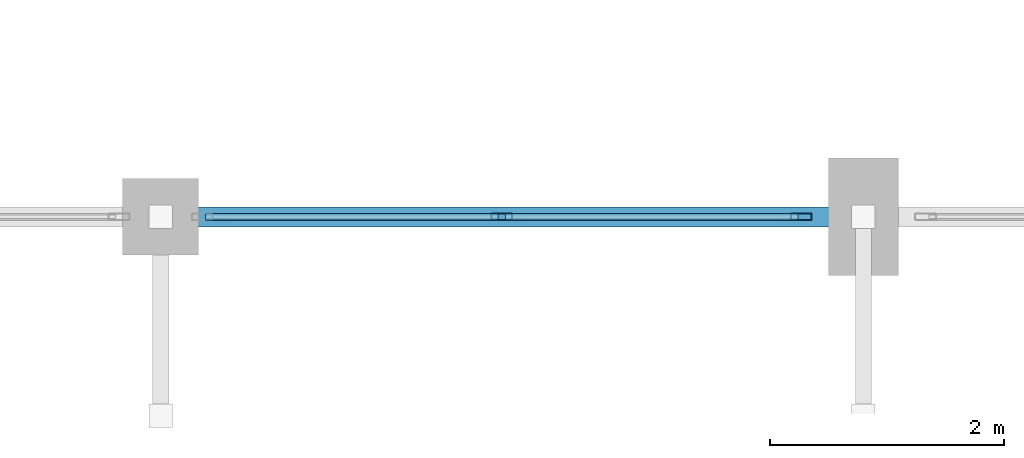
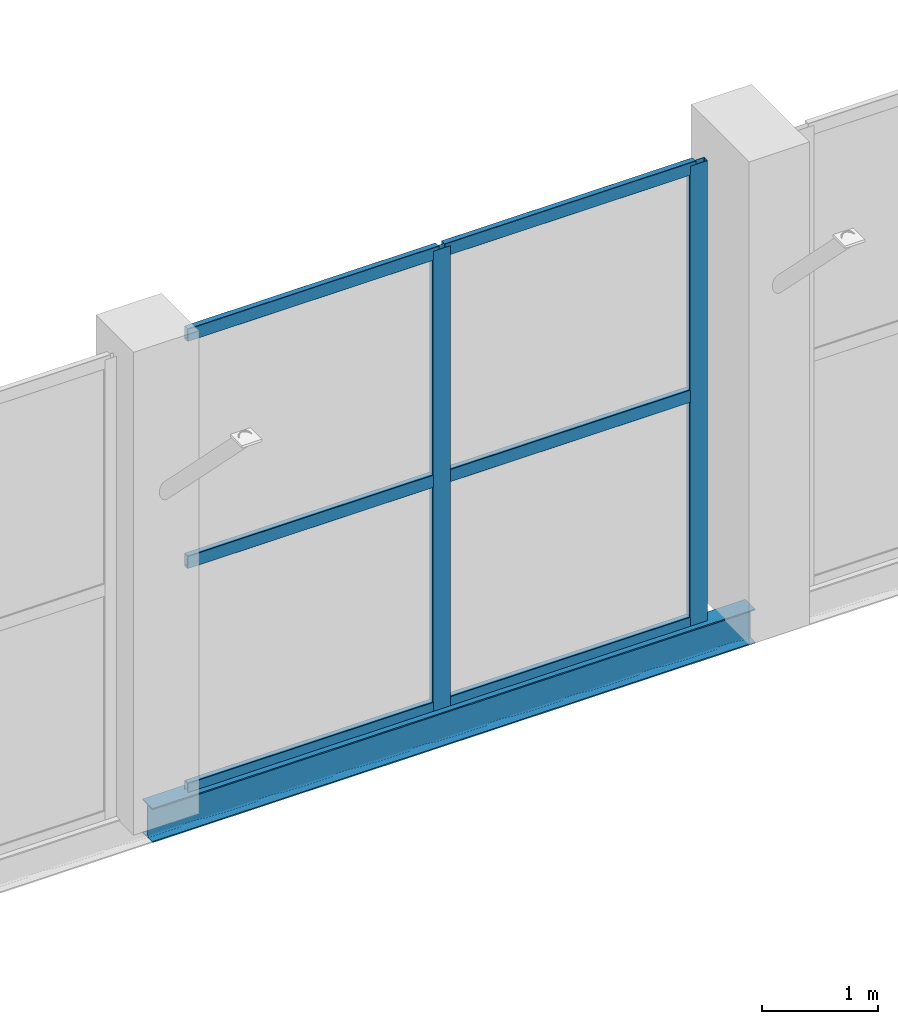
# One storey, part 20 of 127: 8 members, 1 beam, 1 element without a shape of its own.
"""IFC4 building model written with IfcOpenShell, lengths in metres."""

from ifc_helpers import new_model, si_unit, direction, frame, origin, origin_2d, place, context, subcontext, project, spatial, hollow_rectangle, i_section, extrude, material, layer, layer_set, material_profile, profile_set, type_object, element, aggregate, save


model = new_model("IFC4")

# Units and contexts
model_context = context("Model", 3, precision=1e-05, world=origin(), true_north=direction((0.0, 1.0)))
body_context = subcontext(model_context, "Body", "Model", "MODEL_VIEW")
ifc_project = project(units=[si_unit("LENGTHUNIT", "METRE"), si_unit("AREAUNIT", "SQUARE_METRE"), si_unit("VOLUMEUNIT", "CUBIC_METRE"), si_unit("PLANEANGLEUNIT", "RADIAN"), si_unit("MASSUNIT", "GRAM", prefix="KILO")], contexts=[model_context])

# Site, building, storey
site_placement = place(None, origin())
site = spatial("IfcSite", under=ifc_project, at=site_placement, CompositionType="ELEMENT")
building_placement = place(site_placement, origin())
building = spatial("IfcBuilding", under=site, at=building_placement, Name="Dunvalen Ferry Terminal", CompositionType="ELEMENT")
storey_placement = place(building_placement, frame((0.0, 0.0, 5.760009765625)))
storey = spatial("IfcBuildingStorey", under=building, at=storey_placement, Name="L01", CompositionType="ELEMENT", Elevation=5.760009765625)

# Curtain wall, members
ifc_material_1 = material(Name="Anodised marine aluminium and solar-control glazing", Category="aluminium")
ifc_layer = layer(ifc_material_1, 0.219970703125, Name="Anodised marine aluminium and solar-control glazing")
ifc_layer_set = layer_set([ifc_layer], Name="Anodised marine aluminium and solar-control glazing")
curtain_wall_type = type_object("IfcCurtainWallType", Name="ENV-CW-SYS-02", PredefinedType="NOTDEFINED", material=ifc_layer_set)
curtain_wall_placement = place(storey_placement, origin())
curtain_wall = element("IfcCurtainWall", 1, at=curtain_wall_placement, inside=storey, type_object=curtain_wall_type, Name="L01 Curtain Wall CW-V1S-L01-02", PredefinedType="NOTDEFINED")
ifc_material_2 = material(Name="Anodised marine aluminium EN AW-6063 T6", Category="aluminium")
ifc_material_profile_1 = material_profile(ifc_material_2, hollow_rectangle(XDim=0.06005859375, YDim=0.179931640625, WallThickness=0.00341796875, InnerFilletRadius=0.00341796875, OuterFilletRadius=0.007080078125, at=origin_2d()), Name="Anodised marine aluminium EN AW-6063 T6")
ifc_profile_set_1 = profile_set([ifc_material_profile_1], Name="Anodised marine aluminium EN AW-6063 T6")
member_type_1 = type_object("IfcMemberType", Name="ENV-CW-MUL-2", PredefinedType="MULLION", material=ifc_profile_set_1)
member_1_placement = place(storey_placement, frame((44.91259765625, 50.39990234375, 0.02001953125), z_axis=(0.0, 0.0, 1.0), x_axis=(0.0, 1.0, 0.0)))
member_1 = element("IfcMember", 2, at=member_1_placement, type_object=member_type_1, Name="CW-02 mullion 2", PredefinedType="MULLION", context=body_context, shape_type="SweptSolid", body=[
    extrude(hollow_rectangle(XDim=0.06005859375, YDim=0.179931640625, WallThickness=0.00341796875, InnerFilletRadius=0.00341796875, OuterFilletRadius=0.007080078125, at=origin_2d()), origin(), (0.0, 0.0, 1.0), 4.840087890625),
])
member_2_placement = place(storey_placement, frame((47.469970703125, 50.39990234375, 0.02001953125), z_axis=(0.0, 0.0, 1.0), x_axis=(0.0, 1.0, 0.0)))
member_2 = element("IfcMember", 3, at=member_2_placement, type_object=member_type_1, Name="CW-02 mullion 3", PredefinedType="MULLION", context=body_context, shape_type="SweptSolid", body=[
    extrude(hollow_rectangle(XDim=0.06005859375, YDim=0.179931640625, WallThickness=0.00341796875, InnerFilletRadius=0.00341796875, OuterFilletRadius=0.007080078125, at=origin_2d()), origin(), (0.0, 0.0, 1.0), 4.840087890625),
])
ifc_material_profile_2 = material_profile(ifc_material_2, hollow_rectangle(XDim=0.06005859375, YDim=0.135009765625, WallThickness=0.003173828125, InnerFilletRadius=0.003173828125, OuterFilletRadius=0.00634765625, at=origin_2d()), Name="Anodised marine aluminium EN AW-6063 T6")
ifc_profile_set_2 = profile_set([ifc_material_profile_2], Name="Anodised marine aluminium EN AW-6063 T6")
member_type_2 = type_object("IfcMemberType", Name="ENV-CW-TRN-2", PredefinedType="USERDEFINED", material=ifc_profile_set_2)
member_3_placement = place(storey_placement, frame((42.385009765625, 50.39990234375, 0.050048828125), z_axis=(1.0, 0.0, 0.0), x_axis=(0.0, 1.0, 0.0)))
member_3 = element("IfcMember", 4, at=member_3_placement, type_object=member_type_2, Name="CW-02 transom 1.1", ObjectType="TRANSOM", PredefinedType="USERDEFINED", context=body_context, shape_type="SweptSolid", body=[
    extrude(hollow_rectangle(XDim=0.06005859375, YDim=0.135009765625, WallThickness=0.003173828125, InnerFilletRadius=0.003173828125, OuterFilletRadius=0.00634765625, at=origin_2d()), origin(), (0.0, 0.0, 1.0), 2.49755859375),
])
member_4_placement = place(storey_placement, frame((42.385009765625, 50.39990234375, 2.43994140625), z_axis=(1.0, 0.0, 0.0), x_axis=(0.0, 1.0, 0.0)))
member_4 = element("IfcMember", 5, at=member_4_placement, type_object=member_type_2, Name="CW-02 transom 1.2", ObjectType="TRANSOM", PredefinedType="USERDEFINED", context=body_context, shape_type="SweptSolid", body=[
    extrude(hollow_rectangle(XDim=0.06005859375, YDim=0.135009765625, WallThickness=0.003173828125, InnerFilletRadius=0.003173828125, OuterFilletRadius=0.00634765625, at=origin_2d()), origin(), (0.0, 0.0, 1.0), 2.49755859375),
])
member_5_placement = place(storey_placement, frame((42.385009765625, 50.39990234375, 4.830078125), z_axis=(1.0, 0.0, 0.0), x_axis=(0.0, 1.0, 0.0)))
member_5 = element("IfcMember", 6, at=member_5_placement, type_object=member_type_2, Name="CW-02 transom 1.3", ObjectType="TRANSOM", PredefinedType="USERDEFINED", context=body_context, shape_type="SweptSolid", body=[
    extrude(hollow_rectangle(XDim=0.06005859375, YDim=0.135009765625, WallThickness=0.003173828125, InnerFilletRadius=0.003173828125, OuterFilletRadius=0.00634765625, at=origin_2d()), origin(), (0.0, 0.0, 1.0), 2.49755859375),
])
member_6_placement = place(storey_placement, frame((44.9423828125, 50.39990234375, 0.050048828125), z_axis=(1.0, 0.0, 0.0), x_axis=(0.0, 1.0, 0.0)))
member_6 = element("IfcMember", 7, at=member_6_placement, type_object=member_type_2, Name="CW-02 transom 2.1", ObjectType="TRANSOM", PredefinedType="USERDEFINED", context=body_context, shape_type="SweptSolid", body=[
    extrude(hollow_rectangle(XDim=0.06005859375, YDim=0.135009765625, WallThickness=0.003173828125, InnerFilletRadius=0.003173828125, OuterFilletRadius=0.00634765625, at=origin_2d()), origin(), (0.0, 0.0, 1.0), 2.49755859375),
])
member_7_placement = place(storey_placement, frame((44.9423828125, 50.39990234375, 2.43994140625), z_axis=(1.0, 0.0, 0.0), x_axis=(0.0, 1.0, 0.0)))
member_7 = element("IfcMember", 8, at=member_7_placement, type_object=member_type_2, Name="CW-02 transom 2.2", ObjectType="TRANSOM", PredefinedType="USERDEFINED", context=body_context, shape_type="SweptSolid", body=[
    extrude(hollow_rectangle(XDim=0.06005859375, YDim=0.135009765625, WallThickness=0.003173828125, InnerFilletRadius=0.003173828125, OuterFilletRadius=0.00634765625, at=origin_2d()), origin(), (0.0, 0.0, 1.0), 2.49755859375),
])
member_8_placement = place(storey_placement, frame((44.9423828125, 50.39990234375, 4.830078125), z_axis=(1.0, 0.0, 0.0), x_axis=(0.0, 1.0, 0.0)))
member_8 = element("IfcMember", 9, at=member_8_placement, type_object=member_type_2, Name="CW-02 transom 2.3", ObjectType="TRANSOM", PredefinedType="USERDEFINED", context=body_context, shape_type="SweptSolid", body=[
    extrude(hollow_rectangle(XDim=0.06005859375, YDim=0.135009765625, WallThickness=0.003173828125, InnerFilletRadius=0.003173828125, OuterFilletRadius=0.00634765625, at=origin_2d()), origin(), (0.0, 0.0, 1.0), 2.49755859375),
])
aggregate(curtain_wall, [member_1, member_2, member_3, member_4, member_5, member_6, member_7, member_8])

# Beam
ifc_material_3 = material(Name="Steel S355", Category="steel")
ifc_material_profile_3 = material_profile(ifc_material_3, i_section(OverallWidth=0.169921875, OverallDepth=0.360107421875, WebThickness=0.008056640625, FlangeThickness=0.0126953125, FilletRadius=0.01806640625, at=origin_2d()), Name="Steel S355")
ifc_profile_set_3 = profile_set([ifc_material_profile_3], Name="Steel S355")
beam_type = type_object("IfcBeamType", Name="STR-BM-IPE360", PredefinedType="BEAM", material=ifc_profile_set_3)
beam_placement = place(storey_placement, frame((42.0, 50.39990234375, -0.159912109375), z_axis=(1.0, 0.0, 0.0), x_axis=(0.0, 1.0, 0.0)))
element("IfcBeam", 10, at=beam_placement, inside=storey, type_object=beam_type, Name="Departure Hall South Curtain-Wall Girt 02", PredefinedType="BEAM", context=body_context, shape_type="SweptSolid", body=[
    extrude(i_section(OverallWidth=0.169921875, OverallDepth=0.360107421875, WebThickness=0.008056640625, FlangeThickness=0.0126953125, FilletRadius=0.01806640625, at=origin_2d()), origin(), (0.0, 0.0, 1.0), 6.0),
])

save(model, "model.ifc")
